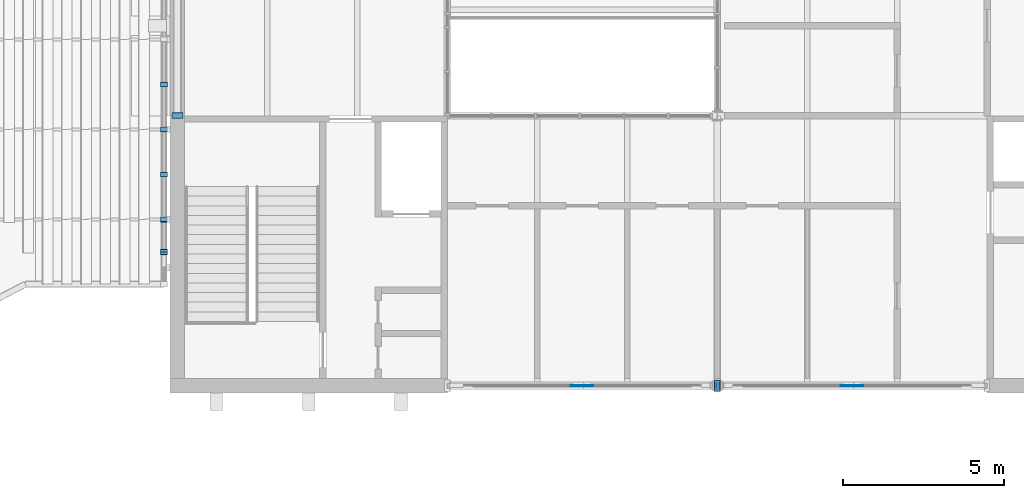
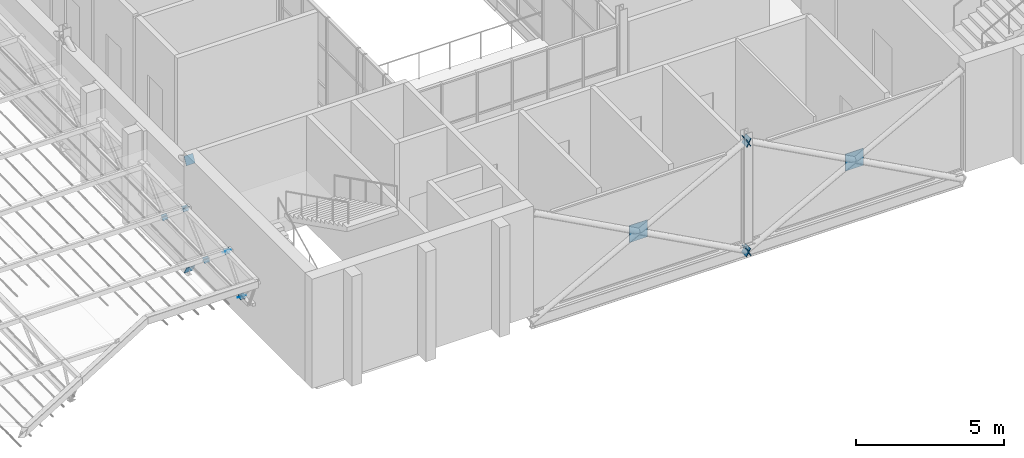
# One storey, part 106 of 129: 18 discrete accessories.
"""IFC4 building model written with IfcOpenShell, lengths in metres."""

import ifcopenshell
import ifcopenshell.guid

model = None  # the IFC model being written
_history = None  # IfcOwnerHistory: only IFC2X3 demands one
_inside = {}  # id of a spatial element -> (the spatial element, [elements in it])
_under = {}  # id of a project, library or spatial element -> (it, [spatial elements below it])
_declared = {}  # id of a project -> (the project, [libraries it declares])
_typed = {}  # id of a type object -> (the type object, [elements of that type])
_made_of = {}  # id of a material, layer set ... -> (it, [elements and type objects made of it])


def new_model(schema):
    """Start an empty IFC model of exactly this schema.

    Asked for "IFC4X3", IfcOpenShell would pick the latest addendum, in which some entities
    have other attributes; the version numbers below select the first issue.
    IFC2X3 requires an IfcOwnerHistory on every rooted entity: one is made here for all.
    """
    global model, _history
    if schema == "IFC4X3":
        model = ifcopenshell.file(schema_version=(4, 3, 0, 0))
    else:
        model = ifcopenshell.file(schema=schema)
    _inside.clear()
    _under.clear()
    _declared.clear()
    _typed.clear()
    _made_of.clear()
    _history = None
    if model.schema == "IFC2X3":
        org = make("IfcOrganization", Name="unknown")
        user = make(
            "IfcPersonAndOrganization",
            ThePerson=make("IfcPerson", FamilyName="unknown"),
            TheOrganization=org,
        )
        app = make(
            "IfcApplication",
            ApplicationDeveloper=org,
            Version="unknown",
            ApplicationFullName="unknown",
            ApplicationIdentifier="unknown",
        )
        _history = make(
            "IfcOwnerHistory",
            OwningUser=user,
            OwningApplication=app,
            ChangeAction="ADDED",
            CreationDate=0,
        )
    return model


def make(cls, **values):
    """One entity of the class cls with the attributes given. An attribute that is None is left unset."""
    return model.create_entity(
        cls, **{name: value for name, value in values.items() if value is not None}
    )


def rooted(cls, **values):
    """An entity with a GlobalId (a new one), such as an element, a storey or a relation."""
    return make(cls, GlobalId=ifcopenshell.guid.new(), OwnerHistory=_history, **values)


def si_unit(unit_type, name, prefix=None):
    """IfcSIUnit, for example si_unit("LENGTHUNIT", "METRE", prefix="MILLI")."""
    return make("IfcSIUnit", UnitType=unit_type, Prefix=prefix, Name=name)


def assignment(units):
    """IfcUnitAssignment: the units of a project."""
    return None if units is None else make("IfcUnitAssignment", Units=units)


def point(xyz):
    """IfcCartesianPoint."""
    return None if xyz is None else make("IfcCartesianPoint", Coordinates=xyz)


def direction(xyz):
    """IfcDirection."""
    return None if xyz is None else make("IfcDirection", DirectionRatios=xyz)


def frame(location, z_axis=None, x_axis=None):
    """IfcAxis2Placement3D, a coordinate frame: its origin and axes. An axis left out is left unset."""
    return make(
        "IfcAxis2Placement3D",
        Location=point(location),
        Axis=direction(z_axis),
        RefDirection=direction(x_axis),
    )


def frame_2d(location, x_axis=None):
    """IfcAxis2Placement2D, a coordinate frame in the plane: its origin and x axis."""
    return make(
        "IfcAxis2Placement2D", Location=point(location), RefDirection=direction(x_axis)
    )


def origin():
    """The frame at (0, 0, 0) with its axes left unset."""
    return frame((0.0, 0.0, 0.0))


def origin_2d():
    """The frame at (0, 0) in the plane with its x axis left unset."""
    return frame_2d((0.0, 0.0))


def place(relative_to, where):
    """IfcLocalPlacement: puts the frame where relative to a parent placement (None: the world)."""
    return make(
        "IfcLocalPlacement", PlacementRelTo=relative_to, RelativePlacement=where
    )


def context(
    kind, dimensions, precision=None, world=None, true_north=None, identifier=None
):
    """IfcGeometricRepresentationContext, for example the 3D "Model" context."""
    return make(
        "IfcGeometricRepresentationContext",
        ContextIdentifier=identifier,
        ContextType=kind,
        CoordinateSpaceDimension=dimensions,
        Precision=precision,
        WorldCoordinateSystem=world,
        TrueNorth=true_north,
    )


def subcontext(parent, identifier, kind, view, scale=None):
    """IfcGeometricRepresentationSubContext, for example "Body" below "Model"."""
    return make(
        "IfcGeometricRepresentationSubContext",
        ContextIdentifier=identifier,
        ContextType=kind,
        ParentContext=parent,
        TargetScale=scale,
        TargetView=view,
    )


def project(units=None, contexts=None):
    """IfcProject with its units and contexts."""
    return rooted(
        "IfcProject",
        Name="project",
        RepresentationContexts=contexts,
        UnitsInContext=assignment(units),
    )


def spatial(cls, under=None, at=None, **own):
    """A site, building, storey or space (cls), placed at a placement, below another one or the project."""
    s = rooted(cls, ObjectPlacement=at, **own)
    if under is not None:
        _under.setdefault(under.id(), (under, []))[1].append(s)
    return s


def profile(cls, at=None, kind="AREA", **sizes):
    """A parametric profile (cls). Its sizes go by their IFC names, for example OverallWidth=200.0."""
    return make(cls, ProfileType=kind, Position=at, **sizes)


def rectangle(**sizes):
    """IfcRectangleProfileDef."""
    return profile("IfcRectangleProfileDef", **sizes)


def extrude(swept, where, along, depth):
    """IfcExtrudedAreaSolid: the profile swept, set in the frame where, extruded along a direction by depth."""
    return make(
        "IfcExtrudedAreaSolid",
        SweptArea=swept,
        Position=where,
        ExtrudedDirection=direction(along),
        Depth=depth,
    )


def shape(context_of_items, identifier, shape_type, items):
    """IfcShapeRepresentation: the items that make up one representation, for example the "Body"."""
    return make(
        "IfcShapeRepresentation",
        ContextOfItems=context_of_items,
        RepresentationIdentifier=identifier,
        RepresentationType=shape_type,
        Items=items,
    )


def material(Name=None, Category=None):
    """IfcMaterial."""
    return make("IfcMaterial", Name=Name, Category=Category)


def material_profile(
    of_material, cross_section, Name=None, Category=None, Priority=None
):
    """IfcMaterialProfile: a cross section and its material."""
    return make(
        "IfcMaterialProfile",
        Name=Name,
        Material=of_material,
        Profile=cross_section,
        Priority=Priority,
        Category=Category,
    )


def profile_set(profiles, Name=None, composite=None):
    """IfcMaterialProfileSet."""
    return make(
        "IfcMaterialProfileSet",
        Name=Name,
        MaterialProfiles=profiles,
        CompositeProfile=composite,
    )


def made_of(thing, what):
    """Note that an element or type object is made of a material, layer set ...; save() writes the relation."""
    if what is not None:
        _made_of.setdefault(what.id(), (what, []))[1].append(thing)
    return thing


def type_object(cls, material=None, **own):
    """A type object (cls), such as IfcWallType, which elements share."""
    return made_of(rooted(cls, **own), material)


def element(
    cls,
    number,
    at=None,
    inside=None,
    cuts=None,
    type_object=None,
    material=None,
    context=None,
    identifier="Body",
    shape_type=None,
    held_by="IfcProductDefinitionShape",
    body=None,
    shapes=None,
    **own,
):
    """One element of the class cls, such as IfcWall. Its Tag is "e" and its number.

    at: its placement. inside: the storey or other place that contains it. cuts: it is an
    opening in that element (IfcRelVoidsElement). A single representation is given by context,
    identifier, shape_type and body (its items); several are given by shapes. held_by: the class
    of the entity that holds the representations. save() writes the other relations.
    """
    e = rooted(cls, Tag="e%d" % number, ObjectPlacement=at, **own)
    if body is not None:
        shapes = [shape(context, identifier, shape_type, body)]
    if shapes is not None:
        e.Representation = make(held_by, Representations=shapes)
    if inside is not None:
        _inside.setdefault(inside.id(), (inside, []))[1].append(e)
    if cuts is not None:
        rooted(
            "IfcRelVoidsElement", RelatingBuildingElement=cuts, RelatedOpeningElement=e
        )
    if type_object is not None:
        _typed.setdefault(type_object.id(), (type_object, []))[1].append(e)
    return made_of(e, material)


def aggregate(whole, parts):
    """IfcRelAggregates: a whole, such as a stair, and the parts it consists of."""
    return rooted("IfcRelAggregates", RelatingObject=whole, RelatedObjects=parts)


def save(model, path):
    """Write the relations noted so far, then the file.

    IfcRelAggregates (storeys below a building ...), IfcRelContainedInSpatialStructure (elements
    in a storey), IfcRelDefinesByType, IfcRelAssociatesMaterial and IfcRelDeclares: one each for
    every whole, place, type object, material and project.
    """
    for whole, parts in _under.values():
        aggregate(whole, parts)
    for where, things in _inside.values():
        rooted(
            "IfcRelContainedInSpatialStructure",
            RelatedElements=things,
            RelatingStructure=where,
        )
    for kind, things in _typed.values():
        rooted("IfcRelDefinesByType", RelatedObjects=things, RelatingType=kind)
    for what, things in _made_of.values():
        rooted("IfcRelAssociatesMaterial", RelatedObjects=things, RelatingMaterial=what)
    for by, libraries in _declared.values():
        rooted("IfcRelDeclares", RelatingContext=by, RelatedDefinitions=libraries)
    model.write(path)


model = new_model("IFC4")

# Units and contexts
model_context = context("Model", 3, precision=1e-05, world=origin(), true_north=direction((0.0, 1.0)))
body_context = subcontext(model_context, "Body", "Model", "MODEL_VIEW")
ifc_project = project(units=[si_unit("LENGTHUNIT", "METRE"), si_unit("AREAUNIT", "SQUARE_METRE"), si_unit("VOLUMEUNIT", "CUBIC_METRE"), si_unit("PLANEANGLEUNIT", "RADIAN"), si_unit("MASSUNIT", "GRAM", prefix="KILO")], contexts=[model_context])

# Site, building, storey
site_placement = place(None, origin())
site = spatial("IfcSite", under=ifc_project, at=site_placement, CompositionType="ELEMENT")
building_placement = place(site_placement, origin())
building = spatial("IfcBuilding", under=site, at=building_placement, Name="Ardhachandra Cancer Care Centre", CompositionType="ELEMENT")
storey_placement = place(building_placement, frame((0.0, 0.0, 4.5)))
storey = spatial("IfcBuildingStorey", under=building, at=storey_placement, Name="L01", CompositionType="ELEMENT", Elevation=4.5)

# Discrete accessories
ifc_material_1 = material(Name="Steel E250 (IS 2062)", Category="steel")
ifc_material_profile_1 = material_profile(ifc_material_1, rectangle(XDim=0.344482421875, YDim=0.344482421875, at=origin_2d()), Name="PL 344x344x20")
ifc_profile_set_1 = profile_set([ifc_material_profile_1], Name="Steel E250 (IS 2062)")
discrete_accessory_type_1 = type_object("IfcDiscreteAccessoryType", Name="Brace end plate 344 x 344 x 20", PredefinedType="BRACKET", material=ifc_profile_set_1)
for number, where, z_axis, x_axis, name in (
    (1, (128.39990234375, 29.39990234375, 4.117919921875), (-0.884384752847, 0.0, -0.466758619558), (0.0, -1.0, 0.0), "Brace end plate V4-X294-1200 L01 A1"),
    (2, (128.39990234375, 29.39990234375, -0.39990234375), (-0.884384752847, 0.0, 0.466758619558), (0.0, -1.0, 0.0), "Brace end plate V4-X294-1200 L01 B10"),
):
    element("IfcDiscreteAccessory", number, at=place(storey_placement, frame(where, z_axis=z_axis, x_axis=x_axis)), inside=storey, type_object=discrete_accessory_type_1, Name=name, PredefinedType="BRACKET", context=body_context, shape_type="SweptSolid", body=[
        extrude(rectangle(XDim=0.344482421875, YDim=0.344482421875, at=origin_2d()), origin(), (0.0, 0.0, 1.0), 0.019775390625),
    ])
for number, where, z_axis, x_axis, name in (
    (3, (128.39990234375, 29.39990234375, -0.39990234375), (0.887017774073, 0.0, 0.461735279655), (0.0, 1.0, 0.0), "Brace end plate V4-X294-1284 L01 A0"),
    (4, (128.39990234375, 29.39990234375, 4.117919921875), (0.887017774073, 0.0, -0.461735279655), (0.0, 1.0, 0.0), "Brace end plate V4-X294-1284 L01 B21"),
):
    element("IfcDiscreteAccessory", number, at=place(storey_placement, frame(where, z_axis=z_axis, x_axis=x_axis)), inside=storey, type_object=discrete_accessory_type_1, Name=name, PredefinedType="BRACKET", context=body_context, shape_type="SweptSolid", body=[
        extrude(rectangle(XDim=0.344482421875, YDim=0.344482421875, at=origin_2d()), origin(), (0.0, 0.0, 1.0), 0.02001953125),
    ])
for number, where, z_axis, x_axis, name in (
    (5, (111.60009765625, 37.800048828125, -0.39990234375), (0.0, 0.884384752847, 0.466758619558), (-1.0, 0.0, 0.0), "Brace end plate V4-Y1116-378 L01 A0"),
    (6, (111.60009765625, 37.800048828125, 4.117919921875), (0.0, 0.884384752847, -0.466758619558), (-1.0, 0.0, 0.0), "Brace end plate V4-Y1116-378 L01 B21"),
):
    element("IfcDiscreteAccessory", number, at=place(storey_placement, frame(where, z_axis=z_axis, x_axis=x_axis)), inside=storey, type_object=discrete_accessory_type_1, Name=name, PredefinedType="BRACKET", context=body_context, shape_type="SweptSolid", body=[
        extrude(rectangle(XDim=0.344482421875, YDim=0.344482421875, at=origin_2d()), origin(), (0.0, 0.0, 1.0), 0.019775390625),
    ])
ifc_material_2 = material(Name="Steel E250 (IS 2062)", Category="steel")
ifc_material_profile_2 = material_profile(ifc_material_2, rectangle(XDim=0.699951171875, YDim=0.699951171875, at=origin_2d()), Name="PL 700x700x20")
ifc_profile_set_2 = profile_set([ifc_material_profile_2], Name="Steel E250 (IS 2062)")
discrete_accessory_type_2 = type_object("IfcDiscreteAccessoryType", Name="Brace node plate 700 x 700 x 20", PredefinedType="BRACKET", material=ifc_profile_set_2)
for number, where, z_axis, x_axis, name in (
    (7, (124.199951171875, 29.389892578125, 1.85888671875), (0.0, 1.0, 0.0), (-1.0, 0.0, 0.0), "Brace node plate V4-X294-1200 L01"),
    (8, (132.60009765625, 29.389892578125, 1.85888671875), (0.0, 1.0, 0.0), (-1.0, 0.0, 0.0), "Brace node plate V4-X294-1284 L01"),
):
    element("IfcDiscreteAccessory", number, at=place(storey_placement, frame(where, z_axis=z_axis, x_axis=x_axis)), inside=storey, type_object=discrete_accessory_type_2, Name=name, PredefinedType="BRACKET", context=body_context, shape_type="SweptSolid", body=[
        extrude(rectangle(XDim=0.699951171875, YDim=0.699951171875, at=origin_2d()), origin(), (0.0, 0.0, 1.0), 0.02001953125),
    ])
ifc_material_3 = material(Name="Steel E250 (IS 2062)", Category="steel")
ifc_material_profile_3 = material_profile(ifc_material_3, rectangle(XDim=0.21435546875, YDim=0.21435546875, at=origin_2d()), Name="PL 214x214x12")
ifc_profile_set_3 = profile_set([ifc_material_profile_3], Name="Steel E250 (IS 2062)")
discrete_accessory_type_3 = type_object("IfcDiscreteAccessoryType", Name="Diagonal end plate 214 x 214 x 12", PredefinedType="BRACKET", material=ifc_profile_set_3)
discrete_accessory_1_placement = place(storey_placement, frame((111.18505859375, 38.77490234375, 1.310546875), z_axis=(0.0, 0.746295434469, 0.665614846958), x_axis=(-1.0, 0.0, 0.0)))
element("IfcDiscreteAccessory", 9, at=discrete_accessory_1_placement, inside=storey, type_object=discrete_accessory_type_3, Name="Diagonal end plate Canopy truss 9 web diagonal WD28 2", PredefinedType="BRACKET", context=body_context, shape_type="SweptSolid", body=[
    extrude(rectangle(XDim=0.21435546875, YDim=0.21435546875, at=origin_2d()), origin(), (0.0, 0.0, 1.0), 0.01220703125),
])
for number, where, z_axis, x_axis, name in (
    (10, (111.18505859375, 38.77490234375, 1.310546875), (0.0, -0.756363172452, 0.654151932932), (1.0, 0.0, 0.0), "Diagonal end plate Canopy truss 9 web diagonal WD29 1"),
    (11, (111.18505859375, 37.375, 2.517578125), (0.0, 0.756363172452, -0.654151932932), (-1.0, 0.0, 0.0), "Diagonal end plate Canopy truss 9 web diagonal WD29 2"),
    (12, (111.18505859375, 37.375, 2.517578125), (0.0, -0.737154140201, -0.675724628517), (1.0, 0.0, 0.0), "Diagonal end plate Canopy truss 9 web diagonal WD30 1"),
    (13, (111.18505859375, 35.97509765625, 1.25439453125), (0.0, 0.737154140201, 0.675724628517), (-1.0, 0.0, 0.0), "Diagonal end plate Canopy truss 9 web diagonal WD30 2"),
):
    element("IfcDiscreteAccessory", number, at=place(storey_placement, frame(where, z_axis=z_axis, x_axis=x_axis)), inside=storey, type_object=discrete_accessory_type_3, Name=name, PredefinedType="BRACKET", context=body_context, shape_type="SweptSolid", body=[
        extrude(rectangle(XDim=0.21435546875, YDim=0.21435546875, at=origin_2d()), origin(), (0.0, 0.0, 1.0), 0.011962890625),
    ])
discrete_accessory_2_placement = place(storey_placement, frame((111.18505859375, 35.97509765625, 1.25439453125), z_axis=(0.0, -0.755033118393, 0.655686655446), x_axis=(1.0, 0.0, 0.0)))
element("IfcDiscreteAccessory", 14, at=discrete_accessory_2_placement, inside=storey, type_object=discrete_accessory_type_3, Name="Diagonal end plate Canopy truss 9 web diagonal WD31 1", PredefinedType="BRACKET", context=body_context, shape_type="SweptSolid", body=[
    extrude(rectangle(XDim=0.21435546875, YDim=0.21435546875, at=origin_2d()), origin(), (0.0, 0.0, 1.0), 0.01220703125),
])
for number, where, z_axis, x_axis, name in (
    (15, (111.18505859375, 34.574951171875, 2.46142578125), (0.0, 0.756363172452, -0.654151932932), (-1.0, 0.0, 0.0), "Diagonal end plate Canopy truss 9 web diagonal WD31 2"),
    (16, (111.18505859375, 34.574951171875, 2.46142578125), (0.0, -0.632126727472, -0.774865020772), (1.0, 0.0, 0.0), "Diagonal end plate Canopy truss 9 web diagonal WD32 1"),
    (17, (111.18505859375, 33.566162109375, 1.206298828125), (0.0, 0.632126727472, 0.774865020772), (-1.0, 0.0, 0.0), "Diagonal end plate Canopy truss 9 web diagonal WD32 2"),
    (18, (111.18505859375, 33.566162109375, 1.206298828125), (0.0, -0.632126727472, 0.774865020772), (1.0, 0.0, 0.0), "Diagonal end plate Canopy truss 9 web diagonal WD33 1"),
):
    element("IfcDiscreteAccessory", number, at=place(storey_placement, frame(where, z_axis=z_axis, x_axis=x_axis)), inside=storey, type_object=discrete_accessory_type_3, Name=name, PredefinedType="BRACKET", context=body_context, shape_type="SweptSolid", body=[
        extrude(rectangle(XDim=0.21435546875, YDim=0.21435546875, at=origin_2d()), origin(), (0.0, 0.0, 1.0), 0.011962890625),
    ])

save(model, "model.ifc")
